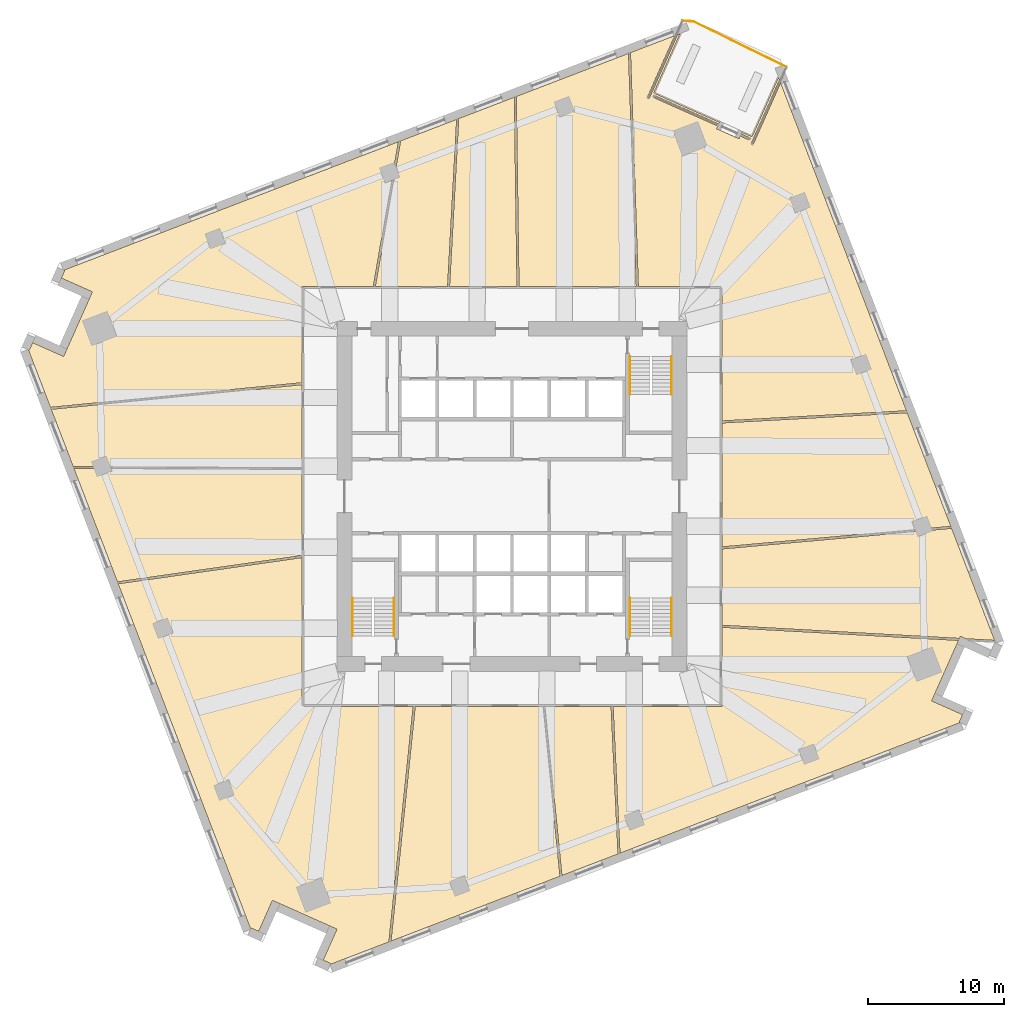
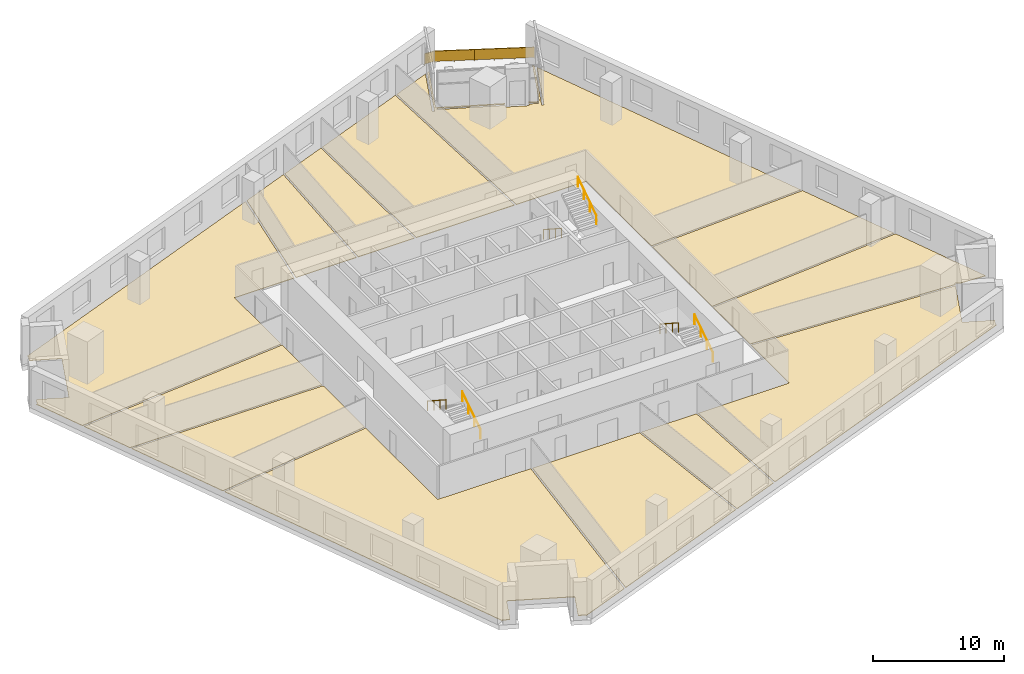
# One storey, part 13 of 14: 13 coverings, 7 railings.
"""IFC4 building model written with IfcOpenShell, lengths in metres."""

from ifc_helpers import new_model, si_unit, direction, frame, origin, origin_2d, place, context, subcontext, project, spatial, polyline, rectangle, circle, outline, extrude, material, layer, layer_set, type_object, element, save


model = new_model("IFC4")

# Units and contexts
model_context = context("Model", 3, precision=1e-05, world=origin(), true_north=direction((0.0, 1.0)))
body_context = subcontext(model_context, "Body", "Model", "MODEL_VIEW")
ifc_project = project(units=[si_unit("LENGTHUNIT", "METRE"), si_unit("AREAUNIT", "SQUARE_METRE"), si_unit("VOLUMEUNIT", "CUBIC_METRE"), si_unit("PLANEANGLEUNIT", "RADIAN"), si_unit("MASSUNIT", "GRAM", prefix="KILO")], contexts=[model_context])

# Site, building, storey
site_placement = place(None, origin())
site = spatial("IfcSite", under=ifc_project, at=site_placement, CompositionType="ELEMENT")
building_placement = place(site_placement, origin())
building = spatial("IfcBuilding", under=site, at=building_placement, Name="Dilmun Exchange Tower", CompositionType="ELEMENT")
storey_placement = place(building_placement, frame((0.0, 0.0, 110.10009765625)))
storey = spatial("IfcBuildingStorey", under=building, at=storey_placement, Name="L25", CompositionType="ELEMENT", Elevation=110.10009765625)

# Coverings
ifc_material_1 = material(Name="Carpet floor finish 50")
ifc_layer_1 = layer(ifc_material_1, 0.050048828125)
ifc_layer_set_1 = layer_set([ifc_layer_1], Name="Carpet floor finish 50")
covering_type_1 = type_object("IfcCoveringType", Name="Carpet floor finish 50", PredefinedType="FLOORING", material=ifc_layer_set_1)
covering_1_placement = place(storey_placement, origin())
element("IfcCovering", 1, at=covering_1_placement, inside=storey, type_object=covering_type_1, Name="Carpet floor finish 50 Break-out lounge 1", PredefinedType="FLOORING", context=body_context, shape_type="SweptSolid", body=[
    extrude(outline(polyline([(-15.47509765625, 1.974609375), (-15.47509765625, -4.361083984375), (-29.07177734375, -6.298583984375), (-32.278076171875, 2.05419921875), (-15.47509765625, 1.974609375)])), origin(), (0.0, 0.0, 1.0), 0.0498046875),
])
covering_2_placement = place(storey_placement, origin())
element("IfcCovering", 2, at=covering_2_placement, inside=storey, type_object=covering_type_1, Name="Carpet floor finish 50 Open office 1", PredefinedType="FLOORING", context=body_context, shape_type="SweptSolid", body=[
    extrude(outline(polyline([(-10.220947265625, 15.47509765625), (-15.47509765625, 15.47509765625), (-15.47509765625, 8.377197265625), (-34.0078125, 6.56005859375), (-35.635498046875, 10.800537109375), (-35.570556640625, 10.771728515625), (-35.570556640625, 10.771484375), (-35.5703125, 10.771484375), (-35.570068359375, 10.771484375), (-35.56982421875, 10.771484375), (-35.569580078125, 10.771484375), (-35.569580078125, 10.771484375), (-35.5693359375, 10.771484375), (-35.569091796875, 10.771484375), (-35.56884765625, 10.771728515625), (-35.56884765625, 10.771728515625), (-35.568603515625, 10.77197265625), (-35.568603515625, 10.77197265625), (-35.568359375, 10.772216796875), (-35.568115234375, 10.772216796875), (-35.568115234375, 10.7724609375), (-35.568115234375, 10.772705078125), (-35.3203125, 11.329345703125), (-33.0380859375, 10.313232421875), (-33.0380859375, 10.31298828125), (-33.037841796875, 10.31298828125), (-33.03759765625, 10.31298828125), (-33.037353515625, 10.31298828125), (-33.037109375, 10.31298828125), (-33.037109375, 10.31298828125), (-33.036865234375, 10.31298828125), (-33.03662109375, 10.313232421875), (-33.036376953125, 10.313232421875), (-33.036376953125, 10.313232421875), (-33.0361328125, 10.3134765625), (-33.035888671875, 10.313720703125), (-33.035888671875, 10.313720703125), (-33.03564453125, 10.31396484375), (-33.03564453125, 10.31396484375), (-33.035400390625, 10.314208984375), (-32.79150390625, 10.8623046875), (-32.79150390625, 10.862548828125), (-32.791259765625, 10.86279296875), (-32.791259765625, 10.86279296875), (-31.16455078125, 14.5166015625), (-31.164306640625, 14.5166015625), (-31.164306640625, 14.516845703125), (-31.164306640625, 14.51708984375), (-31.164306640625, 14.51708984375), (-30.920654296875, 15.064697265625), (-30.92041015625, 15.06494140625), (-30.92041015625, 15.065185546875), (-30.92041015625, 15.065185546875), (-30.92041015625, 15.0654296875), (-30.92041015625, 15.065673828125), (-30.92041015625, 15.06591796875), (-30.92041015625, 15.066162109375), (-30.92041015625, 15.06640625), (-30.920654296875, 15.06640625), (-30.920654296875, 15.066650390625), (-30.9208984375, 15.06689453125), (-30.9208984375, 15.06689453125), (-30.921142578125, 15.067138671875), (-30.921142578125, 15.067138671875), (-30.92138671875, 15.0673828125), (-30.921630859375, 15.0673828125), (-33.20361328125, 16.08349609375), (-32.955810546875, 16.639892578125), (-32.95556640625, 16.64013671875), (-32.95556640625, 16.640380859375), (-32.95556640625, 16.640380859375), (-32.95556640625, 16.640625), (-32.95556640625, 16.640869140625), (-32.95556640625, 16.64111328125), (-32.95556640625, 16.641357421875), (-32.955810546875, 16.6416015625), (-32.955810546875, 16.6416015625), (-32.955810546875, 16.641845703125), (-32.9560546875, 16.64208984375), (-32.9560546875, 16.64208984375), (-32.956298828125, 16.642333984375), (-32.956298828125, 16.642333984375), (-32.95654296875, 16.642578125), (-32.956787109375, 16.642578125), (-33.021484375, 16.67138671875), (-8.367431640625, 26.13525390625), (-10.220947265625, 15.47509765625)])), origin(), (0.0, 0.0, 1.0), 0.0498046875),
])
covering_3_placement = place(storey_placement, origin())
element("IfcCovering", 3, at=covering_3_placement, inside=storey, type_object=covering_type_1, Name="Carpet floor finish 50 Open office 2", PredefinedType="FLOORING", context=body_context, shape_type="SweptSolid", body=[
    extrude(outline(polyline([(-15.47509765625, -4.5126953125), (-15.47509765625, -15.47509765625), (-7.280517578125, -15.47509765625), (-9.0712890625, -32.829345703125), (-13.384521484375, -34.485107421875), (-13.355712890625, -34.420166015625), (-13.35546875, -34.420166015625), (-13.35546875, -34.419921875), (-13.35546875, -34.419677734375), (-13.35546875, -34.41943359375), (-13.35546875, -34.419189453125), (-13.35546875, -34.419189453125), (-13.35546875, -34.4189453125), (-13.35546875, -34.418701171875), (-13.355712890625, -34.41845703125), (-13.355712890625, -34.41845703125), (-13.355712890625, -34.418212890625), (-13.35595703125, -34.418212890625), (-13.356201171875, -34.41796875), (-13.356201171875, -34.417724609375), (-13.3564453125, -34.417724609375), (-13.356689453125, -34.41748046875), (-13.9130859375, -34.169921875), (-12.897216796875, -31.8876953125), (-12.89697265625, -31.8876953125), (-12.89697265625, -31.887451171875), (-12.89697265625, -31.88720703125), (-12.89697265625, -31.886962890625), (-12.89697265625, -31.88671875), (-12.89697265625, -31.88671875), (-12.89697265625, -31.886474609375), (-12.897216796875, -31.88623046875), (-12.897216796875, -31.885986328125), (-12.897216796875, -31.885986328125), (-12.8974609375, -31.8857421875), (-12.8974609375, -31.885498046875), (-12.897705078125, -31.885498046875), (-12.897705078125, -31.88525390625), (-12.89794921875, -31.88525390625), (-12.898193359375, -31.885009765625), (-13.4462890625, -31.64111328125), (-13.4462890625, -31.64111328125), (-13.446533203125, -31.640869140625), (-13.44677734375, -31.640869140625), (-17.10009765625, -30.01416015625), (-17.10009765625, -30.01416015625), (-17.100341796875, -30.01416015625), (-17.6484375, -29.77001953125), (-17.648681640625, -29.77001953125), (-17.64892578125, -29.77001953125), (-17.649169921875, -29.77001953125), (-17.6494140625, -29.77001953125), (-17.6494140625, -29.77001953125), (-17.649658203125, -29.77001953125), (-17.64990234375, -29.77001953125), (-17.650146484375, -29.77001953125), (-17.650390625, -29.77001953125), (-17.650390625, -29.770263671875), (-17.650634765625, -29.770263671875), (-17.650634765625, -29.7705078125), (-17.65087890625, -29.7705078125), (-17.65087890625, -29.770751953125), (-17.651123046875, -29.77099609375), (-17.651123046875, -29.77099609375), (-18.667236328125, -32.052978515625), (-19.223876953125, -31.805419921875), (-19.22412109375, -31.80517578125), (-19.22412109375, -31.80517578125), (-19.224365234375, -31.80517578125), (-19.224609375, -31.80517578125), (-19.224853515625, -31.80517578125), (-19.22509765625, -31.80517578125), (-19.22509765625, -31.80517578125), (-19.225341796875, -31.805419921875), (-19.2255859375, -31.805419921875), (-19.2255859375, -31.805419921875), (-19.225830078125, -31.8056640625), (-19.22607421875, -31.8056640625), (-19.226318359375, -31.805908203125), (-19.226318359375, -31.805908203125), (-19.226318359375, -31.80615234375), (-19.2265625, -31.806396484375), (-19.25537109375, -31.87109375), (-29.0166015625, -6.442138671875), (-15.47509765625, -4.5126953125)])), origin(), (0.0, 0.0, 1.0), 0.0498046875),
])
covering_4_placement = place(storey_placement, origin())
element("IfcCovering", 4, at=covering_4_placement, inside=storey, type_object=covering_type_1, Name="Carpet floor finish 50 Analyst office 1", PredefinedType="FLOORING", context=body_context, shape_type="SweptSolid", body=[
    extrude(outline(polyline([(-7.1298828125, -15.47509765625), (2.284423828125, -15.47509765625), (3.534912109375, -27.990234375), (-8.914306640625, -32.76904296875), (-7.1298828125, -15.47509765625)])), origin(), (0.0, 0.0, 1.0), 0.0498046875),
])
covering_5_placement = place(storey_placement, origin())
element("IfcCovering", 5, at=covering_5_placement, inside=storey, type_object=covering_type_1, Name="Carpet floor finish 50 Break-out lounge 2", PredefinedType="FLOORING", context=body_context, shape_type="SweptSolid", body=[
    extrude(outline(polyline([(0.36767578125, 15.47509765625), (-4.597412109375, 15.47509765625), (-3.9248046875, 27.8408203125), (0.16943359375, 29.412353515625), (0.36767578125, 15.47509765625)])), origin(), (0.0, 0.0, 1.0), 0.0498046875),
])
covering_6_placement = place(storey_placement, origin())
element("IfcCovering", 6, at=covering_6_placement, inside=storey, type_object=covering_type_1, Name="Carpet floor finish 50 Analyst office 2", PredefinedType="FLOORING", context=body_context, shape_type="SweptSolid", body=[
    extrude(outline(polyline([(0.318603515625, 29.469482421875), (8.58447265625, 32.642578125), (9.15966796875, 15.47509765625), (0.517578125, 15.47509765625), (0.318603515625, 29.469482421875)])), origin(), (0.0, 0.0, 1.0), 0.0498046875),
])
covering_7_placement = place(storey_placement, origin())
element("IfcCovering", 7, at=covering_7_placement, inside=storey, type_object=covering_type_1, Name="Carpet floor finish 50 Garden lounge", PredefinedType="FLOORING", context=body_context, shape_type="SweptSolid", body=[
    extrude(outline(polyline([(10.44287109375, 29.72412109375), (15.295654296875, 27.5634765625), (15.2373046875, 27.4326171875), (10.453125, 29.562744140625), (10.452880859375, 29.56298828125), (10.452880859375, 29.56298828125), (10.45263671875, 29.56298828125), (10.452392578125, 29.56298828125), (10.4521484375, 29.56298828125), (10.451904296875, 29.56298828125), (10.451904296875, 29.56298828125), (10.45166015625, 29.56298828125), (10.451416015625, 29.562744140625), (10.451416015625, 29.562744140625), (10.451171875, 29.5625), (10.450927734375, 29.5625), (10.45068359375, 29.562255859375), (10.45068359375, 29.56201171875), (10.45068359375, 29.56201171875), (10.450439453125, 29.561767578125), (10.385498046875, 29.41552734375), (10.385498046875, 29.415283203125), (10.38525390625, 29.415283203125), (10.38525390625, 29.4150390625), (10.38525390625, 29.414794921875), (10.38525390625, 29.414794921875), (10.38525390625, 29.41455078125), (10.38525390625, 29.414306640625), (10.385498046875, 29.4140625), (10.385498046875, 29.413818359375), (10.385498046875, 29.413818359375), (10.3857421875, 29.41357421875), (10.3857421875, 29.413330078125), (10.385986328125, 29.413330078125), (10.385986328125, 29.4130859375), (10.38623046875, 29.4130859375), (10.386474609375, 29.4130859375), (15.170654296875, 27.282958984375), (15.08203125, 27.083740234375), (15.08203125, 27.08349609375), (15.081787109375, 27.08349609375), (15.081787109375, 27.083251953125), (15.081787109375, 27.0830078125), (15.081787109375, 27.082763671875), (15.081787109375, 27.08251953125), (15.08203125, 27.08251953125), (15.08203125, 27.082275390625), (15.08203125, 27.08203125), (15.082275390625, 27.081787109375), (15.082275390625, 27.081787109375), (15.08251953125, 27.08154296875), (15.08251953125, 27.081298828125), (15.082763671875, 27.081298828125), (15.0830078125, 27.081298828125), (15.0830078125, 27.0810546875), (16.7275390625, 26.34912109375), (16.727783203125, 26.348876953125), (16.727783203125, 26.348876953125), (16.72802734375, 26.348876953125), (16.728271484375, 26.348876953125), (16.728515625, 26.348876953125), (16.728515625, 26.348876953125), (16.728759765625, 26.348876953125), (16.72900390625, 26.34912109375), (16.729248046875, 26.34912109375), (16.7294921875, 26.34912109375), (16.7294921875, 26.349365234375), (16.729736328125, 26.349365234375), (16.729736328125, 26.349609375), (16.72998046875, 26.349609375), (16.72998046875, 26.349853515625), (16.72998046875, 26.35009765625), (16.81884765625, 26.54931640625), (17.4921875, 26.249267578125), (17.4921875, 26.249267578125), (17.492431640625, 26.249267578125), (17.49267578125, 26.2490234375), (17.492919921875, 26.2490234375), (17.4931640625, 26.2490234375), (17.493408203125, 26.2490234375), (17.493408203125, 26.249267578125), (17.49365234375, 26.249267578125), (17.493896484375, 26.249267578125), (17.493896484375, 26.24951171875), (17.494140625, 26.24951171875), (17.494384765625, 26.249755859375), (17.494384765625, 26.249755859375), (17.49462890625, 26.25), (17.49462890625, 26.25), (17.494873046875, 26.250244140625), (17.559814453125, 26.396484375), (17.559814453125, 26.396484375), (17.56005859375, 26.396728515625), (17.56005859375, 26.39697265625), (17.56005859375, 26.397216796875), (17.56005859375, 26.3974609375), (17.56005859375, 26.397705078125), (17.56005859375, 26.397705078125), (17.559814453125, 26.39794921875), (17.559814453125, 26.398193359375), (17.559814453125, 26.398193359375), (17.5595703125, 26.3984375), (17.5595703125, 26.398681640625), (17.559326171875, 26.398681640625), (17.55908203125, 26.39892578125), (17.55908203125, 26.39892578125), (17.558837890625, 26.399169921875), (16.885498046875, 26.698974609375), (16.943603515625, 26.82958984375), (17.685546875, 26.499267578125), (19.635986328125, 30.8798828125), (19.70849609375, 30.691162109375), (17.6025390625, 25.961669921875), (17.6025390625, 25.96142578125), (17.6025390625, 25.961181640625), (17.602294921875, 25.9609375), (17.602294921875, 25.960693359375), (17.602294921875, 25.960693359375), (17.602294921875, 25.96044921875), (17.6025390625, 25.960205078125), (17.6025390625, 25.9599609375), (17.6025390625, 25.959716796875), (17.602783203125, 25.959716796875), (17.602783203125, 25.95947265625), (17.60302734375, 25.95947265625), (17.60302734375, 25.959228515625), (17.603271484375, 25.958984375), (17.603515625, 25.958984375), (17.603515625, 25.958984375), (17.749755859375, 25.893798828125), (17.75, 25.893798828125), (17.75, 25.893798828125), (17.750244140625, 25.893798828125), (17.75048828125, 25.893798828125), (17.750732421875, 25.893798828125), (17.7509765625, 25.893798828125), (17.751220703125, 25.893798828125), (17.751220703125, 25.893798828125), (17.75146484375, 25.893798828125), (17.751708984375, 25.89404296875), (17.751708984375, 25.89404296875), (17.751953125, 25.894287109375), (17.752197265625, 25.894287109375), (17.752197265625, 25.89453125), (17.752197265625, 25.894775390625), (17.75244140625, 25.894775390625), (19.79150390625, 30.474609375), (29.06787109375, 6.30908203125), (15.47509765625, 5.560302734375), (15.47509765625, 15.47509765625), (9.309814453125, 15.47509765625), (8.732666015625, 32.699462890625), (11.98779296875, 33.948974609375), (9.94873046875, 29.369384765625), (9.94873046875, 29.369140625), (9.94873046875, 29.368896484375), (9.948486328125, 29.36865234375), (9.948486328125, 29.368408203125), (9.948486328125, 29.368408203125), (9.948486328125, 29.3681640625), (9.94873046875, 29.367919921875), (9.94873046875, 29.36767578125), (9.94873046875, 29.367431640625), (9.948974609375, 29.367431640625), (9.948974609375, 29.3671875), (9.94921875, 29.3671875), (9.94921875, 29.366943359375), (9.949462890625, 29.36669921875), (9.94970703125, 29.36669921875), (9.94970703125, 29.36669921875), (10.095947265625, 29.301513671875), (10.09619140625, 29.301513671875), (10.09619140625, 29.301513671875), (10.096435546875, 29.301513671875), (10.0966796875, 29.301513671875), (10.096923828125, 29.301513671875), (10.09716796875, 29.301513671875), (10.097412109375, 29.301513671875), (10.097412109375, 29.301513671875), (10.09765625, 29.301513671875), (10.097900390625, 29.3017578125), (10.097900390625, 29.3017578125), (10.09814453125, 29.302001953125), (10.098388671875, 29.302001953125), (10.098388671875, 29.30224609375), (10.098388671875, 29.302490234375), (10.0986328125, 29.302490234375), (12.204345703125, 34.031982421875), (12.39306640625, 34.1044921875), (10.44287109375, 29.72412109375)])), origin(), (0.0, 0.0, 1.0), 0.0498046875),
])
covering_8_placement = place(storey_placement, origin())
element("IfcCovering", 8, at=covering_8_placement, inside=storey, type_object=covering_type_1, Name="Carpet floor finish 50 Open office 3", PredefinedType="FLOORING", context=body_context, shape_type="SweptSolid", body=[
    extrude(outline(polyline([(7.44921875, -15.47509765625), (15.47509765625, -15.47509765625), (15.47509765625, -9.64599609375), (32.9033203125, -10.611328125), (32.79150390625, -10.8623046875), (32.79150390625, -10.862548828125), (32.791259765625, -10.86279296875), (32.791259765625, -10.86279296875), (31.16455078125, -14.5166015625), (31.164306640625, -14.5166015625), (31.164306640625, -14.516845703125), (31.164306640625, -14.51708984375), (31.164306640625, -14.51708984375), (30.920654296875, -15.064697265625), (30.92041015625, -15.06494140625), (30.92041015625, -15.065185546875), (30.92041015625, -15.065185546875), (30.92041015625, -15.0654296875), (30.92041015625, -15.065673828125), (30.92041015625, -15.06591796875), (30.92041015625, -15.066162109375), (30.92041015625, -15.06640625), (30.920654296875, -15.06640625), (30.920654296875, -15.066650390625), (30.9208984375, -15.06689453125), (30.9208984375, -15.06689453125), (30.921142578125, -15.067138671875), (30.921142578125, -15.067138671875), (30.92138671875, -15.0673828125), (30.921630859375, -15.0673828125), (33.20361328125, -16.08349609375), (32.955810546875, -16.639892578125), (32.95556640625, -16.64013671875), (32.95556640625, -16.640380859375), (32.95556640625, -16.640380859375), (32.95556640625, -16.640625), (32.95556640625, -16.640869140625), (32.95556640625, -16.64111328125), (32.95556640625, -16.641357421875), (32.955810546875, -16.6416015625), (32.955810546875, -16.6416015625), (32.955810546875, -16.641845703125), (32.9560546875, -16.64208984375), (32.9560546875, -16.64208984375), (32.956298828125, -16.642333984375), (32.956298828125, -16.642333984375), (32.95654296875, -16.642578125), (32.956787109375, -16.642578125), (33.021484375, -16.67138671875), (7.956787109375, -26.292724609375), (7.44921875, -15.47509765625)])), origin(), (0.0, 0.0, 1.0), 0.0498046875),
])
covering_9_placement = place(storey_placement, origin())
element("IfcCovering", 9, at=covering_9_placement, inside=storey, type_object=covering_type_1, Name="Carpet floor finish 50 Fund manager office", PredefinedType="FLOORING", context=body_context, shape_type="SweptSolid", body=[
    extrude(outline(polyline([(15.47509765625, -3.72119140625), (15.47509765625, 5.41015625), (29.124267578125, 6.161865234375), (32.33740234375, -2.20849609375), (15.47509765625, -3.72119140625)])), origin(), (0.0, 0.0, 1.0), 0.0498046875),
])
covering_10_placement = place(storey_placement, origin())
element("IfcCovering", 10, at=covering_10_placement, inside=storey, type_object=covering_type_1, Name="Carpet floor finish 50 Break-out lounge 3", PredefinedType="FLOORING", context=body_context, shape_type="SweptSolid", body=[
    extrude(outline(polyline([(33.43603515625, -10.490478515625), (33.0380859375, -10.313232421875), (33.0380859375, -10.31298828125), (33.037841796875, -10.31298828125), (33.03759765625, -10.31298828125), (33.037353515625, -10.31298828125), (33.037109375, -10.31298828125), (33.037109375, -10.31298828125), (33.036865234375, -10.31298828125), (33.03662109375, -10.313232421875), (33.036376953125, -10.313232421875), (33.036376953125, -10.313232421875), (33.0361328125, -10.3134765625), (33.035888671875, -10.313720703125), (33.035888671875, -10.313720703125), (33.03564453125, -10.31396484375), (33.03564453125, -10.31396484375), (33.035400390625, -10.314208984375), (32.968505859375, -10.464599609375), (15.47509765625, -9.495849609375), (15.47509765625, -3.871826171875), (32.393310546875, -2.35400390625), (35.5615234375, -10.608154296875), (33.43603515625, -10.490478515625)])), origin(), (0.0, 0.0, 1.0), 0.0498046875),
])

# Railings
ifc_material_2 = material(Name="Stainless steel", Category="steel")
railing_type_1 = type_object("IfcRailingType", Name="Stair handrail 900", PredefinedType="HANDRAIL", material=ifc_material_2)
railing_1_placement = place(storey_placement, frame((8.699951171875, 10.300048828125, 0.181640625)))
element("IfcRailing", 11, at=railing_1_placement, inside=storey, type_object=railing_type_1, Name="L25 ST1 stair handrail 1", PredefinedType="HANDRAIL", context=body_context, shape_type="SweptSolid", body=[
    extrude(circle(Radius=0.02392578125, at=origin_2d()), frame((0.0, 0.0, 0.8759765625), z_axis=(0.0, -0.838672427954, 0.544636170843), x_axis=(1.0, 0.0, 0.0)), (0.0, 0.0, 1.0), 3.338623046875),
    extrude(circle(Radius=0.02099609375, at=origin_2d()), origin(), (0.0, 0.0, 1.0), 0.851806640625),
    extrude(circle(Radius=0.02099609375, at=origin_2d()), frame((0.0, -0.933349609375, 0.606201171875)), (0.0, 0.0, 1.0), 0.851806640625),
    extrude(circle(Radius=0.02099609375, at=origin_2d()), frame((0.0, -1.86669921875, 1.212158203125)), (0.0, 0.0, 1.0), 0.851806640625),
    extrude(circle(Radius=0.02099609375, at=origin_2d()), frame((0.0, -2.800048828125, 1.818359375)), (0.0, 0.0, 1.0), 0.851806640625),
])
for number, where, name in (
    (12, (11.75, 7.5, 2.181640625), "L25 ST1 stair handrail 2"),
    (13, (-8.699951171875, -10.300048828125, 0.181640625), "L25 ST2 stair handrail 1"),
):
    element("IfcRailing", number, at=place(storey_placement, frame(where)), inside=storey, type_object=railing_type_1, Name=name, PredefinedType="HANDRAIL", context=body_context, shape_type="SweptSolid", body=[
        extrude(circle(Radius=0.02392578125, at=origin_2d()), frame((0.0, 0.0, 0.8759765625), z_axis=(0.0, 0.838672427954, 0.544636170843), x_axis=(-1.0, 0.0, 0.0)), (0.0, 0.0, 1.0), 3.338623046875),
        extrude(circle(Radius=0.02099609375, at=origin_2d()), origin(), (0.0, 0.0, 1.0), 0.851806640625),
        extrude(circle(Radius=0.02099609375, at=origin_2d()), frame((0.0, 0.933349609375, 0.606201171875)), (0.0, 0.0, 1.0), 0.851806640625),
        extrude(circle(Radius=0.02099609375, at=origin_2d()), frame((0.0, 1.86669921875, 1.212158203125)), (0.0, 0.0, 1.0), 0.851806640625),
        extrude(circle(Radius=0.02099609375, at=origin_2d()), frame((0.0, 2.800048828125, 1.818359375)), (0.0, 0.0, 1.0), 0.851806640625),
    ])
railing_2_placement = place(storey_placement, frame((-11.75, -7.5, 2.181640625)))
element("IfcRailing", 14, at=railing_2_placement, inside=storey, type_object=railing_type_1, Name="L25 ST2 stair handrail 2", PredefinedType="HANDRAIL", context=body_context, shape_type="SweptSolid", body=[
    extrude(circle(Radius=0.02392578125, at=origin_2d()), frame((0.0, 0.0, 0.8759765625), z_axis=(0.0, -0.838672427954, 0.544636170843), x_axis=(1.0, 0.0, 0.0)), (0.0, 0.0, 1.0), 3.338623046875),
    extrude(circle(Radius=0.02099609375, at=origin_2d()), origin(), (0.0, 0.0, 1.0), 0.851806640625),
    extrude(circle(Radius=0.02099609375, at=origin_2d()), frame((0.0, -0.933349609375, 0.606201171875)), (0.0, 0.0, 1.0), 0.851806640625),
    extrude(circle(Radius=0.02099609375, at=origin_2d()), frame((0.0, -1.86669921875, 1.212158203125)), (0.0, 0.0, 1.0), 0.851806640625),
    extrude(circle(Radius=0.02099609375, at=origin_2d()), frame((0.0, -2.800048828125, 1.818359375)), (0.0, 0.0, 1.0), 0.851806640625),
])
railing_3_placement = place(storey_placement, frame((11.75, -10.300048828125, 0.181640625)))
element("IfcRailing", 15, at=railing_3_placement, inside=storey, type_object=railing_type_1, Name="L25 ST3 stair handrail 1", PredefinedType="HANDRAIL", context=body_context, shape_type="SweptSolid", body=[
    extrude(circle(Radius=0.02392578125, at=origin_2d()), frame((0.0, 0.0, 0.8759765625), z_axis=(0.0, 0.838672427954, 0.544636170843), x_axis=(-1.0, 0.0, 0.0)), (0.0, 0.0, 1.0), 3.338623046875),
    extrude(circle(Radius=0.02099609375, at=origin_2d()), origin(), (0.0, 0.0, 1.0), 0.851806640625),
    extrude(circle(Radius=0.02099609375, at=origin_2d()), frame((0.0, 0.933349609375, 0.606201171875)), (0.0, 0.0, 1.0), 0.851806640625),
    extrude(circle(Radius=0.02099609375, at=origin_2d()), frame((0.0, 1.86669921875, 1.212158203125)), (0.0, 0.0, 1.0), 0.851806640625),
    extrude(circle(Radius=0.02099609375, at=origin_2d()), frame((0.0, 2.800048828125, 1.818359375)), (0.0, 0.0, 1.0), 0.851806640625),
])
railing_4_placement = place(storey_placement, frame((8.699951171875, -7.5, 2.181640625)))
element("IfcRailing", 16, at=railing_4_placement, inside=storey, type_object=railing_type_1, Name="L25 ST3 stair handrail 2", PredefinedType="HANDRAIL", context=body_context, shape_type="SweptSolid", body=[
    extrude(circle(Radius=0.02392578125, at=origin_2d()), frame((0.0, 0.0, 0.8759765625), z_axis=(0.0, -0.838672427954, 0.544636170843), x_axis=(1.0, 0.0, 0.0)), (0.0, 0.0, 1.0), 3.338623046875),
    extrude(circle(Radius=0.02099609375, at=origin_2d()), origin(), (0.0, 0.0, 1.0), 0.851806640625),
    extrude(circle(Radius=0.02099609375, at=origin_2d()), frame((0.0, -0.933349609375, 0.606201171875)), (0.0, 0.0, 1.0), 0.851806640625),
    extrude(circle(Radius=0.02099609375, at=origin_2d()), frame((0.0, -1.86669921875, 1.212158203125)), (0.0, 0.0, 1.0), 0.851806640625),
    extrude(circle(Radius=0.02099609375, at=origin_2d()), frame((0.0, -2.800048828125, 1.818359375)), (0.0, 0.0, 1.0), 0.851806640625),
])

# Covering
ifc_material_3 = material(Name="Stone floor finish 50", Category="masonry")
ifc_layer_2 = layer(ifc_material_3, 0.050048828125)
ifc_layer_set_2 = layer_set([ifc_layer_2], Name="Stone floor finish 50")
covering_type_2 = type_object("IfcCoveringType", Name="Stone floor finish 50", PredefinedType="FLOORING", material=ifc_layer_set_2)
covering_11_placement = place(storey_placement, origin())
element("IfcCovering", 17, at=covering_11_placement, inside=storey, type_object=covering_type_2, Name="Stone floor finish 50 Reception", PredefinedType="FLOORING", context=body_context, shape_type="SweptSolid", body=[
    extrude(outline(polyline([(-15.47509765625, 2.12451171875), (-32.335693359375, 2.20458984375), (-33.951904296875, 6.414794921875), (-15.47509765625, 8.2265625), (-15.47509765625, 2.12451171875)])), origin(), (0.0, 0.0, 1.0), 0.0498046875),
])

# Railing
railing_type_2 = type_object("IfcRailingType", Name="Terrace guard 1100 stainless steel", PredefinedType="GUARDRAIL", material=ifc_material_2)
railing_5_placement = place(storey_placement, frame((12.564453125, 35.042236328125, 0.0)))
element("IfcRailing", 18, at=railing_5_placement, inside=storey, type_object=railing_type_2, Name="Terrace guard 1", PredefinedType="GUARDRAIL", context=body_context, shape_type="SweptSolid", body=[
    extrude(circle(Radius=0.02392578125, at=origin_2d()), frame((0.0, 0.0, 1.076171875), z_axis=(0.997934852609, -0.064234180534, 0.0), x_axis=(0.064234180534, 0.997934852609, 0.0)), (0.0, 0.0, 1.0), 0.79443359375),
    extrude(rectangle(XDim=0.011962890625, YDim=0.951904296875, at=origin_2d()), frame((0.0, 0.0, 0.576171875), z_axis=(0.997934852609, -0.064234180534, 0.0), x_axis=(0.064234180534, 0.997934852609, 0.0)), (0.0, 0.0, 1.0), 0.79443359375),
    extrude(circle(Radius=0.02392578125, at=origin_2d()), frame((0.792724609375, -0.051025390625, 1.076171875), z_axis=(0.898261288441, -0.43946178183, 0.0), x_axis=(0.43946178183, 0.898261288441, 0.0)), (0.0, 0.0, 1.0), 7.63818359375),
    extrude(rectangle(XDim=0.011962890625, YDim=0.951904296875, at=origin_2d()), frame((0.792724609375, -0.051025390625, 0.576171875), z_axis=(0.898261288441, -0.43946178183, 0.0), x_axis=(0.43946178183, 0.898261288441, 0.0)), (0.0, 0.0, 1.0), 7.63818359375),
    extrude(circle(Radius=0.02099609375, at=origin_2d()), origin(), (0.0, 0.0, 1.0), 1.052001953125),
    extrude(circle(Radius=0.02099609375, at=origin_2d()), frame((0.792724609375, -0.051025390625, 0.0)), (0.0, 0.0, 1.0), 1.052001953125),
    extrude(circle(Radius=0.02099609375, at=origin_2d()), frame((2.1650390625, -0.722412109375, 0.0)), (0.0, 0.0, 1.0), 1.052001953125),
    extrude(circle(Radius=0.02099609375, at=origin_2d()), frame((3.537109375, -1.393798828125, 0.0)), (0.0, 0.0, 1.0), 1.052001953125),
    extrude(circle(Radius=0.02099609375, at=origin_2d()), frame((4.909423828125, -2.06494140625, 0.0)), (0.0, 0.0, 1.0), 1.052001953125),
    extrude(circle(Radius=0.02099609375, at=origin_2d()), frame((6.281494140625, -2.736328125, 0.0)), (0.0, 0.0, 1.0), 1.052001953125),
    extrude(circle(Radius=0.02099609375, at=origin_2d()), frame((7.65380859375, -3.40771484375, 0.0)), (0.0, 0.0, 1.0), 1.052001953125),
])

# Coverings
ifc_material_4 = material(Name="Tile floor finish 50")
ifc_layer_3 = layer(ifc_material_4, 0.050048828125)
ifc_layer_set_3 = layer_set([ifc_layer_3], Name="Tile floor finish 50")
covering_type_3 = type_object("IfcCoveringType", Name="Tile floor finish 50", PredefinedType="FLOORING", material=ifc_layer_set_3)
covering_12_placement = place(storey_placement, origin())
element("IfcCovering", 19, at=covering_12_placement, inside=storey, type_object=covering_type_3, Name="Tile floor finish 50 Pantry 1", PredefinedType="FLOORING", context=body_context, shape_type="SweptSolid", body=[
    extrude(outline(polyline([(-10.068603515625, 15.47509765625), (-8.204345703125, 26.197998046875), (-4.078125, 27.78173828125), (-4.74755859375, 15.47509765625), (-10.068603515625, 15.47509765625)])), origin(), (0.0, 0.0, 1.0), 0.0498046875),
])
covering_13_placement = place(storey_placement, origin())
element("IfcCovering", 20, at=covering_13_placement, inside=storey, type_object=covering_type_3, Name="Tile floor finish 50 Pantry 2", PredefinedType="FLOORING", context=body_context, shape_type="SweptSolid", body=[
    extrude(outline(polyline([(2.435302734375, -15.47509765625), (7.299072265625, -15.47509765625), (7.809326171875, -26.349609375), (3.68017578125, -27.9345703125), (2.435302734375, -15.47509765625)])), origin(), (0.0, 0.0, 1.0), 0.0498046875),
])

save(model, "model.ifc")
